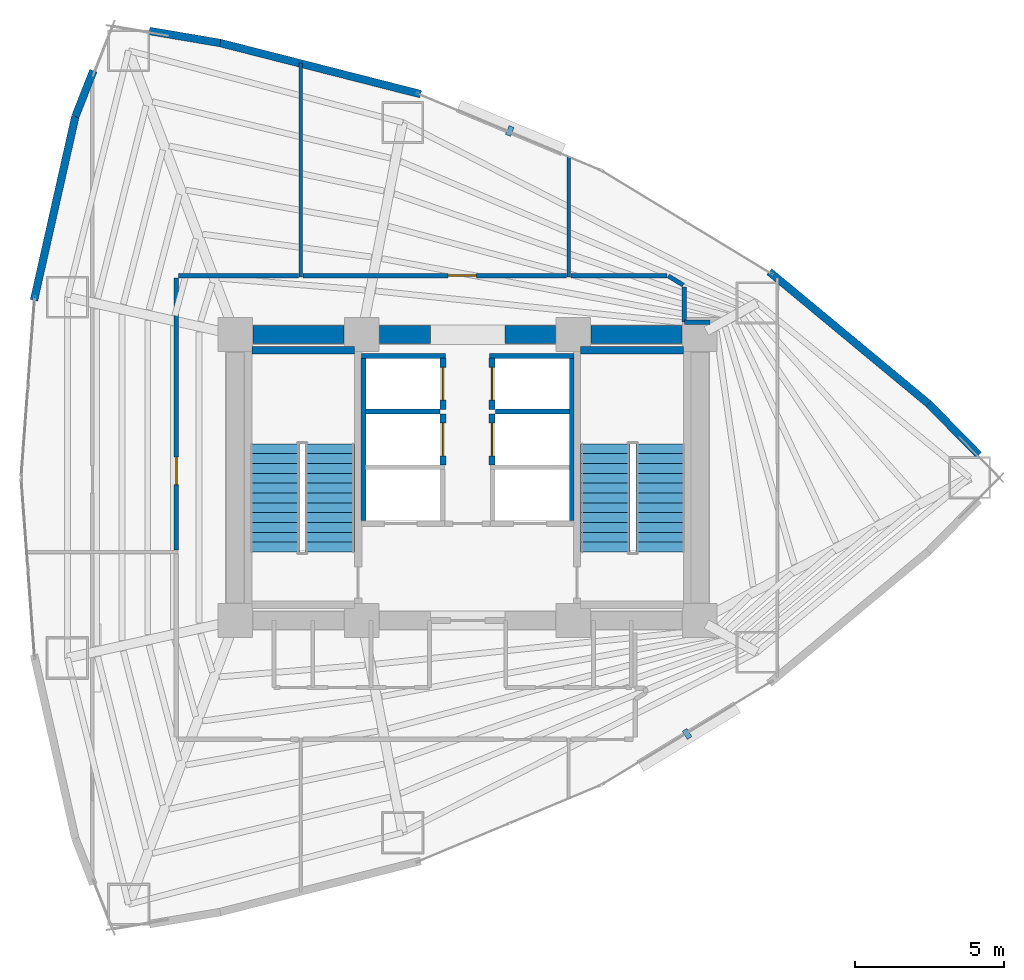
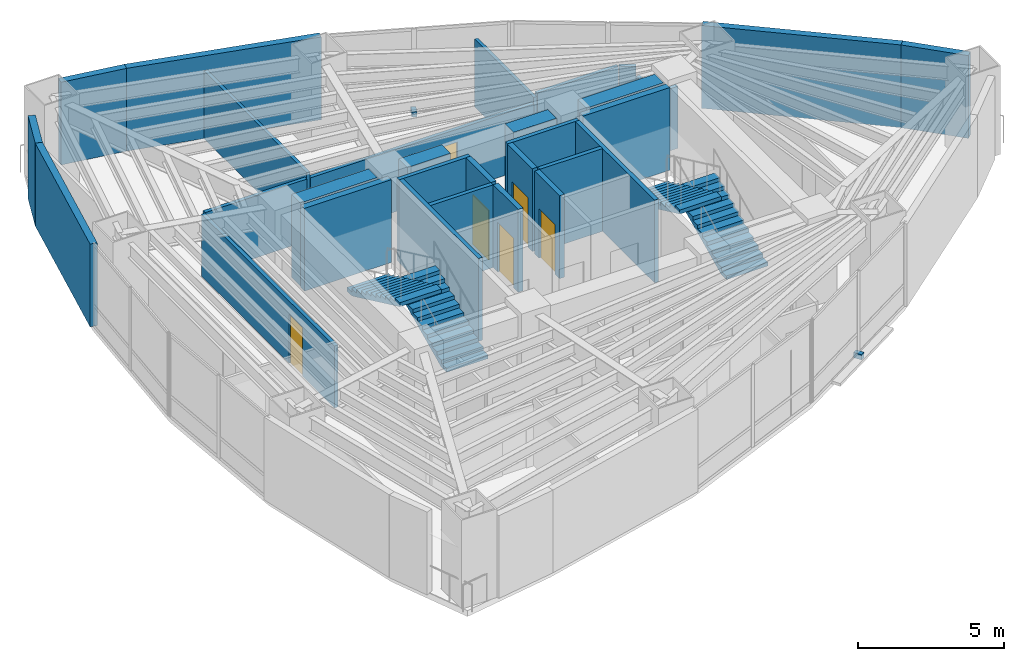
# One storey, part 15 of 17: 31 walls, 6 doors, 4 stair flights, 2 discrete accessories, 6 openings, 2 elements without a shape of their own.
"""IFC4 building model written with IfcOpenShell, lengths in metres."""

from ifc_helpers import new_model, si_unit, direction, frame, frame_2d, origin, origin_2d, place, context, subcontext, project, spatial, polyline, rectangle, outline, extrude, material, layer, layer_set, type_object, element, fill, aggregate, save


model = new_model("IFC4")

# Units and contexts
model_context = context("Model", 3, precision=1e-05, world=origin(), true_north=direction((0.0, 1.0)))
body_context = subcontext(model_context, "Body", "Model", "MODEL_VIEW")
ifc_project = project(units=[si_unit("LENGTHUNIT", "METRE"), si_unit("AREAUNIT", "SQUARE_METRE"), si_unit("VOLUMEUNIT", "CUBIC_METRE"), si_unit("PLANEANGLEUNIT", "RADIAN"), si_unit("MASSUNIT", "GRAM", prefix="KILO")], contexts=[model_context])

# Site, building, storey
site_placement = place(None, origin())
site = spatial("IfcSite", under=ifc_project, at=site_placement, CompositionType="ELEMENT")
building_placement = place(site_placement, origin())
building = spatial("IfcBuilding", under=site, at=building_placement, Name="Menara Vayukalpa", CompositionType="ELEMENT")
storey_placement = place(building_placement, frame((0.0, 0.0, 46.199951171875)))
storey = spatial("IfcBuildingStorey", under=building, at=storey_placement, Name="L10", CompositionType="ELEMENT", Elevation=46.199951171875)

# Walls
ifc_material_1 = material(Name="Concrete C70/85", Category="concrete")
ifc_layer_1 = layer(ifc_material_1, 0.60009765625)
ifc_layer_set_1 = layer_set([ifc_layer_1], Name="Concrete C70/85")
wall_type_1 = type_object("IfcWallType", Name="WAL-CW600", PredefinedType="SHEAR", material=ifc_layer_set_1)
wall_1_placement = place(storey_placement, frame((18.39501953125, 26.800048828125, 0.0), z_axis=(0.0, 0.0, 1.0), x_axis=(1.0, 0.0, 0.0)))
element("IfcWall", 1, at=wall_1_placement, inside=storey, type_object=wall_type_1, Name="L10 Buttressed Core Shear Wall CWN1", PredefinedType="SHEAR", context=body_context, shape_type="SweptSolid", body=[
    extrude(rectangle(XDim=3.06005859375, YDim=0.60009765625, at=frame_2d((1.530029296875, 0.0))), origin(), (0.0, 0.0, 1.0), 3.469970703125),
])
wall_2_placement = place(storey_placement, frame((22.64501953125, 26.800048828125, 0.0), z_axis=(0.0, 0.0, 1.0), x_axis=(1.0, 0.0, 0.0)))
element("IfcWall", 2, at=wall_2_placement, inside=storey, type_object=wall_type_1, Name="L10 Buttressed Core Shear Wall CWN2", PredefinedType="SHEAR", context=body_context, shape_type="SweptSolid", body=[
    extrude(rectangle(XDim=1.705078125, YDim=0.60009765625, at=frame_2d((0.8525390625, 0.0))), origin(), (0.0, 0.0, 1.0), 3.469970703125),
])
wall_3_placement = place(storey_placement, frame((26.85009765625, 26.800048828125, 0.0), z_axis=(0.0, 0.0, 1.0), x_axis=(1.0, 0.0, 0.0)))
element("IfcWall", 3, at=wall_3_placement, inside=storey, type_object=wall_type_1, Name="L10 Buttressed Core Shear Wall CWN3", PredefinedType="SHEAR", context=body_context, shape_type="SweptSolid", body=[
    extrude(rectangle(XDim=1.704833984375, YDim=0.60009765625, at=frame_2d((0.8525390625, 0.0))), origin(), (0.0, 0.0, 1.0), 3.469970703125),
])
wall_4_placement = place(storey_placement, frame((29.7451171875, 26.800048828125, 0.0), z_axis=(0.0, 0.0, 1.0), x_axis=(1.0, 0.0, 0.0)))
element("IfcWall", 4, at=wall_4_placement, inside=storey, type_object=wall_type_1, Name="L10 Buttressed Core Shear Wall CWN4", PredefinedType="SHEAR", context=body_context, shape_type="SweptSolid", body=[
    extrude(rectangle(XDim=3.059814453125, YDim=0.60009765625, at=frame_2d((1.52978515625, 0.0))), origin(), (0.0, 0.0, 1.0), 3.469970703125),
])
ifc_material_2 = material(Name="Insulated Precast Concrete C40/50", Category="concrete")
ifc_layer_2 = layer(ifc_material_2, 0.260009765625)
ifc_layer_set_2 = layer_set([ifc_layer_2], Name="Insulated Precast Concrete C40/50")
wall_type_2 = type_object("IfcWallType", Name="WAL-EXT260", PredefinedType="PARTITIONING", material=ifc_layer_set_2)
wall_5_placement = place(storey_placement, frame((41.08056640625, 24.479248046875, 0.0), z_axis=(0.0, 0.0, 1.0), x_axis=(0.70059851419, -0.713555689427, 0.0)))
element("IfcWall", 5, at=wall_5_placement, inside=storey, type_object=wall_type_2, Name="L10 Perimeter Terracotta Pier Wall 02", PredefinedType="PARTITIONING", context=body_context, shape_type="SweptSolid", body=[
    extrude(rectangle(XDim=2.411865234375, YDim=0.260009765625, at=frame_2d((1.2060546875, 0.0))), origin(), (0.0, 0.0, 1.0), 3.469970703125),
])
for number, where, z_axis, x_axis, name in (
    (6, (35.732421875, 28.91357421875, 0.0), (0.0, 0.0, 1.0), (0.769754596928, -0.638339925517, 0.0), "L10 Perimeter Terracotta Pier Wall 03"),
    (7, (17.28173828125, 36.595703125, 0.0), (0.0, 0.0, 1.0), (0.968977974408, -0.247147092057, 0.0), "L10 Perimeter Terracotta Pier Wall 06"),
):
    element("IfcWall", number, at=place(storey_placement, frame(where, z_axis=z_axis, x_axis=x_axis)), inside=storey, type_object=wall_type_2, Name=name, PredefinedType="PARTITIONING", context=body_context, shape_type="SweptSolid", body=[
        extrude(rectangle(XDim=6.959228515625, YDim=0.260009765625, at=frame_2d((3.4794921875, 0.0))), origin(), (0.0, 0.0, 1.0), 3.469970703125),
    ])
wall_6_placement = place(storey_placement, frame((14.915283203125, 36.996826171875, 0.0), z_axis=(0.0, 0.0, 1.0), x_axis=(0.985905469923, -0.167303330437, 0.0)))
element("IfcWall", 8, at=wall_6_placement, inside=storey, type_object=wall_type_2, Name="L10 Perimeter Terracotta Pier Wall 07", PredefinedType="PARTITIONING", context=body_context, shape_type="SweptSolid", body=[
    extrude(rectangle(XDim=2.412109375, YDim=0.260009765625, at=frame_2d((1.2060546875, 0.0))), origin(), (0.0, 0.0, 1.0), 3.469970703125),
])
wall_7_placement = place(storey_placement, frame((12.427490234375, 34.119140625, 0.0), z_axis=(0.0, 0.0, 1.0), x_axis=(0.365666052462, 0.930746119023, 0.0)))
element("IfcWall", 9, at=wall_7_placement, inside=storey, type_object=wall_type_2, Name="L10 Perimeter Terracotta Pier Wall 08", PredefinedType="PARTITIONING", context=body_context, shape_type="SweptSolid", body=[
    extrude(rectangle(XDim=1.656494140625, YDim=0.260009765625, at=frame_2d((0.828125, 0.0))), origin(), (0.0, 0.0, 1.0), 3.469970703125),
])
wall_8_placement = place(storey_placement, frame((11.0400390625, 27.952392578125, 0.0), z_axis=(0.0, 0.0, 1.0), x_axis=(0.219502085231, 0.975612030768, 0.0)))
element("IfcWall", 10, at=wall_8_placement, inside=storey, type_object=wall_type_2, Name="L10 Perimeter Terracotta Pier Wall 09", PredefinedType="PARTITIONING", context=body_context, shape_type="SweptSolid", body=[
    extrude(rectangle(XDim=6.32080078125, YDim=0.260009765625, at=frame_2d((3.160400390625, 0.0))), origin(), (0.0, 0.0, 1.0), 3.469970703125),
])
ifc_material_3 = material(Name="Lightweight Concrete Blockwork C16/20", Category="masonry")
ifc_layer_3 = layer(ifc_material_3, 0.159912109375)
ifc_layer_set_3 = layer_set([ifc_layer_3], Name="Lightweight Concrete Blockwork C16/20")
wall_type_3 = type_object("IfcWallType", Name="WAL-FR150", PredefinedType="PARTITIONING", material=ifc_layer_set_3)
wall_9_placement = place(storey_placement, frame((22.10498046875, 20.56005859375, 0.0), z_axis=(0.0, 0.0, 1.0), x_axis=(0.0, 1.0, 0.0)))
element("IfcWall", 11, at=wall_9_placement, inside=storey, type_object=wall_type_3, Name="L10 Interior Partition IW-L10-SHW-WW", PredefinedType="PARTITIONING", context=body_context, shape_type="SweptSolid", body=[
    extrude(rectangle(XDim=5.449951171875, YDim=0.159912109375, at=frame_2d((2.72509765625, 0.0))), origin(), (0.0, 0.0, 1.0), 3.469970703125),
])
wall_10_placement = place(storey_placement, frame((22.179931640625, 24.215087890625, 0.0), z_axis=(0.0, 0.0, 1.0), x_axis=(1.0, 0.0, 0.0)))
element("IfcWall", 12, at=wall_10_placement, inside=storey, type_object=wall_type_3, Name="L10 Interior Partition IW-L10-SHM-W23", PredefinedType="PARTITIONING", context=body_context, shape_type="SweptSolid", body=[
    extrude(rectangle(XDim=2.489990234375, YDim=0.159912109375, at=frame_2d((1.2451171875, 0.0))), origin(), (0.0, 0.0, 1.0), 3.469970703125),
])
wall_11_placement = place(storey_placement, frame((22.030029296875, 26.0849609375, 0.0), z_axis=(0.0, 0.0, 1.0), x_axis=(1.0, 0.0, 0.0)))
element("IfcWall", 13, at=wall_11_placement, inside=storey, type_object=wall_type_3, Name="L10 Interior Partition IW-L10-SHM-W3N", PredefinedType="PARTITIONING", context=body_context, shape_type="SweptSolid", body=[
    extrude(rectangle(XDim=2.830078125, YDim=0.159912109375, at=frame_2d((1.4150390625, 0.0))), origin(), (0.0, 0.0, 1.0), 3.469970703125),
])
wall_12_placement = place(storey_placement, frame((29.094970703125, 20.56005859375, 0.0), z_axis=(0.0, 0.0, 1.0), x_axis=(0.0, 1.0, 0.0)))
element("IfcWall", 14, at=wall_12_placement, inside=storey, type_object=wall_type_3, Name="L10 Interior Partition IW-L10-SHW-EE", PredefinedType="PARTITIONING", context=body_context, shape_type="SweptSolid", body=[
    extrude(rectangle(XDim=5.449951171875, YDim=0.159912109375, at=frame_2d((2.72509765625, 0.0))), origin(), (0.0, 0.0, 1.0), 3.469970703125),
])
wall_13_placement = place(storey_placement, frame((26.530029296875, 24.215087890625, 0.0), z_axis=(0.0, 0.0, 1.0), x_axis=(1.0, 0.0, 0.0)))
element("IfcWall", 15, at=wall_13_placement, inside=storey, type_object=wall_type_3, Name="L10 Interior Partition IW-L10-SHM-E32", PredefinedType="PARTITIONING", context=body_context, shape_type="SweptSolid", body=[
    extrude(rectangle(XDim=2.489990234375, YDim=0.159912109375, at=frame_2d((1.2451171875, 0.0))), origin(), (0.0, 0.0, 1.0), 3.469970703125),
])
wall_14_placement = place(storey_placement, frame((26.340087890625, 26.0849609375, 0.0), z_axis=(0.0, 0.0, 1.0), x_axis=(1.0, 0.0, 0.0)))
element("IfcWall", 16, at=wall_14_placement, inside=storey, type_object=wall_type_3, Name="L10 Interior Partition IW-L10-SHM-E2N", PredefinedType="PARTITIONING", context=body_context, shape_type="SweptSolid", body=[
    extrude(rectangle(XDim=2.829833984375, YDim=0.159912109375, at=frame_2d((1.4150390625, 0.0))), origin(), (0.0, 0.0, 1.0), 3.469970703125),
])

# Wall, opening, door
ifc_material_4 = material(Name="Lightweight Concrete Blockwork C16/20", Category="masonry")
ifc_layer_4 = layer(ifc_material_4, 0.199951171875)
ifc_layer_set_4 = layer_set([ifc_layer_4], Name="Lightweight Concrete Blockwork C16/20")
wall_type_4 = type_object("IfcWallType", Name="WAL-FR200", PredefinedType="PARTITIONING", material=ifc_layer_set_4)
wall_15_placement = place(storey_placement, frame((24.780029296875, 22.419921875, 0.0), z_axis=(0.0, 0.0, 1.0), x_axis=(0.0, 1.0, 0.0)))
wall_15 = element("IfcWall", 17, at=wall_15_placement, inside=storey, type_object=wall_type_4, Name="L10 Interior Partition IW-L10-SH-W2", PredefinedType="PARTITIONING", context=body_context, shape_type="SweptSolid", body=[
    extrude(rectangle(XDim=1.719970703125, YDim=0.199951171875, at=frame_2d((0.85986328125, 0.0))), origin(), (0.0, 0.0, 1.0), 3.469970703125),
])
opening_1_placement = place(wall_15_placement, frame((0.31005859375, 0.0, 0.0)))
opening_1 = element("IfcOpeningElement", 18, at=opening_1_placement, cuts=wall_15, Name="Opening LD1", PredefinedType="OPENING", context=body_context, shape_type="SweptSolid", body=[
    extrude(rectangle(XDim=1.10009765625, YDim=2.080078125, at=frame_2d((0.550048828125, 1.0400390625))), frame((0.0, 0.10986328125, 0.0), z_axis=(0.0, -1.0, 0.0), x_axis=(1.0, 0.0, 0.0)), (0.0, 0.0, 1.0), 0.219970703125),
])
ifc_material_5 = material(Name="Brushed Stainless Steel 316 Lift Door", Category="steel")
door_type_1 = type_object("IfcDoorType", Name="DR-LD110", OperationType="NOTDEFINED", PredefinedType="DOOR", material=ifc_material_5)
door_1_placement = place(opening_1_placement, origin())
door_1 = element("IfcDoor", 19, at=door_1_placement, inside=storey, type_object=door_type_1, Name="L10 Interior Door DR-L10-LD-W2", OperationType="DOUBLE_DOOR_SLIDING", OverallHeight=2.080078125, OverallWidth=1.10009765625, PredefinedType="DOOR", context=body_context, shape_type="SweptSolid", body=[
    extrude(rectangle(XDim=1.10009765625, YDim=2.080078125, at=frame_2d((0.550048828125, 1.0400390625))), frame((0.0, 0.02490234375, 0.0), z_axis=(0.0, -1.0, 0.0), x_axis=(1.0, 0.0, 0.0)), (0.0, 0.0, 1.0), 0.050048828125),
])
fill(opening_1, door_1)

wall_16_placement = place(storey_placement, frame((24.780029296875, 24.2900390625, 0.0), z_axis=(0.0, 0.0, 1.0), x_axis=(0.0, 1.0, 0.0)))
wall_16 = element("IfcWall", 20, at=wall_16_placement, inside=storey, type_object=wall_type_4, Name="L10 Interior Partition IW-L10-SH-W3", PredefinedType="PARTITIONING", context=body_context, shape_type="SweptSolid", body=[
    extrude(rectangle(XDim=1.719970703125, YDim=0.199951171875, at=frame_2d((0.85986328125, 0.0))), origin(), (0.0, 0.0, 1.0), 3.469970703125),
])
opening_2_placement = place(wall_16_placement, frame((0.31005859375, 0.0, 0.0)))
opening_2 = element("IfcOpeningElement", 21, at=opening_2_placement, cuts=wall_16, Name="Opening LD1", PredefinedType="OPENING", context=body_context, shape_type="SweptSolid", body=[
    extrude(rectangle(XDim=1.10009765625, YDim=2.080078125, at=frame_2d((0.550048828125, 1.0400390625))), frame((0.0, 0.10986328125, 0.0), z_axis=(0.0, -1.0, 0.0), x_axis=(1.0, 0.0, 0.0)), (0.0, 0.0, 1.0), 0.219970703125),
])
door_2_placement = place(opening_2_placement, origin())
door_2 = element("IfcDoor", 22, at=door_2_placement, inside=storey, type_object=door_type_1, Name="L10 Interior Door DR-L10-LD-W3", OperationType="DOUBLE_DOOR_SLIDING", OverallHeight=2.080078125, OverallWidth=1.10009765625, PredefinedType="DOOR", context=body_context, shape_type="SweptSolid", body=[
    extrude(rectangle(XDim=1.10009765625, YDim=2.080078125, at=frame_2d((0.550048828125, 1.0400390625))), frame((0.0, 0.02490234375, 0.0), z_axis=(0.0, -1.0, 0.0), x_axis=(1.0, 0.0, 0.0)), (0.0, 0.0, 1.0), 0.050048828125),
])
fill(opening_2, door_2)

wall_17_placement = place(storey_placement, frame((26.419921875, 22.419921875, 0.0), z_axis=(0.0, 0.0, 1.0), x_axis=(0.0, 1.0, 0.0)))
wall_17 = element("IfcWall", 23, at=wall_17_placement, inside=storey, type_object=wall_type_4, Name="L10 Interior Partition IW-L10-SH-E3", PredefinedType="PARTITIONING", context=body_context, shape_type="SweptSolid", body=[
    extrude(rectangle(XDim=1.719970703125, YDim=0.199951171875, at=frame_2d((0.85986328125, 0.0))), origin(), (0.0, 0.0, 1.0), 3.469970703125),
])
opening_3_placement = place(wall_17_placement, frame((0.31005859375, 0.0, 0.0)))
opening_3 = element("IfcOpeningElement", 24, at=opening_3_placement, cuts=wall_17, Name="Opening LD1", PredefinedType="OPENING", context=body_context, shape_type="SweptSolid", body=[
    extrude(rectangle(XDim=1.10009765625, YDim=2.080078125, at=frame_2d((0.550048828125, 1.0400390625))), frame((0.0, 0.10986328125, 0.0), z_axis=(0.0, -1.0, 0.0), x_axis=(1.0, 0.0, 0.0)), (0.0, 0.0, 1.0), 0.219970703125),
])
door_3_placement = place(opening_3_placement, origin())
door_3 = element("IfcDoor", 25, at=door_3_placement, inside=storey, type_object=door_type_1, Name="L10 Interior Door DR-L10-LD-E3", OperationType="DOUBLE_DOOR_SLIDING", OverallHeight=2.080078125, OverallWidth=1.10009765625, PredefinedType="DOOR", context=body_context, shape_type="SweptSolid", body=[
    extrude(rectangle(XDim=1.10009765625, YDim=2.080078125, at=frame_2d((0.550048828125, 1.0400390625))), frame((0.0, 0.02490234375, 0.0), z_axis=(0.0, -1.0, 0.0), x_axis=(1.0, 0.0, 0.0)), (0.0, 0.0, 1.0), 0.050048828125),
])
fill(opening_3, door_3)

wall_18_placement = place(storey_placement, frame((26.419921875, 24.2900390625, 0.0), z_axis=(0.0, 0.0, 1.0), x_axis=(0.0, 1.0, 0.0)))
wall_18 = element("IfcWall", 26, at=wall_18_placement, inside=storey, type_object=wall_type_4, Name="L10 Interior Partition IW-L10-SH-E2", PredefinedType="PARTITIONING", context=body_context, shape_type="SweptSolid", body=[
    extrude(rectangle(XDim=1.719970703125, YDim=0.199951171875, at=frame_2d((0.85986328125, 0.0))), origin(), (0.0, 0.0, 1.0), 3.469970703125),
])
opening_4_placement = place(wall_18_placement, frame((0.31005859375, 0.0, 0.0)))
opening_4 = element("IfcOpeningElement", 27, at=opening_4_placement, cuts=wall_18, Name="Opening LD1", PredefinedType="OPENING", context=body_context, shape_type="SweptSolid", body=[
    extrude(rectangle(XDim=1.10009765625, YDim=2.080078125, at=frame_2d((0.550048828125, 1.0400390625))), frame((0.0, 0.10986328125, 0.0), z_axis=(0.0, -1.0, 0.0), x_axis=(1.0, 0.0, 0.0)), (0.0, 0.0, 1.0), 0.219970703125),
])
door_4_placement = place(opening_4_placement, origin())
door_4 = element("IfcDoor", 28, at=door_4_placement, inside=storey, type_object=door_type_1, Name="L10 Interior Door DR-L10-LD-E2", OperationType="DOUBLE_DOOR_SLIDING", OverallHeight=2.080078125, OverallWidth=1.10009765625, PredefinedType="DOOR", context=body_context, shape_type="SweptSolid", body=[
    extrude(rectangle(XDim=1.10009765625, YDim=2.080078125, at=frame_2d((0.550048828125, 1.0400390625))), frame((0.0, 0.02490234375, 0.0), z_axis=(0.0, -1.0, 0.0), x_axis=(1.0, 0.0, 0.0)), (0.0, 0.0, 1.0), 0.050048828125),
])
fill(opening_4, door_4)

# Walls
ifc_material_6 = material(Name="Gypsum Drywall Steel Stud Assembly", Category="steel")
ifc_layer_5 = layer(ifc_material_6, 0.125)
ifc_layer_set_5 = layer_set([ifc_layer_5], Name="Gypsum Drywall Steel Stud Assembly")
wall_type_5 = type_object("IfcWallType", Name="WAL-PT125", PredefinedType="PARTITIONING", material=ifc_layer_set_5)
wall_19_placement = place(storey_placement, frame((20.0, 28.72998046875, 0.0), z_axis=(0.0, 0.0, 1.0), x_axis=(0.0, 1.0, 0.0)))
element("IfcWall", 29, at=wall_19_placement, inside=storey, type_object=wall_type_5, Name="L10 Interior Partition IW-L10-RDIV03", PredefinedType="PARTITIONING", context=body_context, shape_type="SweptSolid", body=[
    extrude(rectangle(XDim=7.1826171875, YDim=0.125, at=frame_2d((3.59130859375, 0.0))), origin(), (0.0, 0.0, 1.0), 2.85009765625),
])
wall_20_placement = place(storey_placement, frame((29.0, 28.72998046875, 0.0), z_axis=(0.0, 0.0, 1.0), x_axis=(0.0, 1.0, 0.0)))
element("IfcWall", 30, at=wall_20_placement, inside=storey, type_object=wall_type_5, Name="L10 Interior Partition IW-L10-RDIV05", PredefinedType="PARTITIONING", context=body_context, shape_type="SweptSolid", body=[
    extrude(rectangle(XDim=4.058349609375, YDim=0.125, at=frame_2d((2.029296875, 0.0))), origin(), (0.0, 0.0, 1.0), 2.85009765625),
])
ifc_material_7 = material(Name="Gypsum Drywall Acoustic Stud Assembly", Category="masonry")
ifc_layer_6 = layer(ifc_material_7, 0.14501953125)
ifc_layer_set_6 = layer_set([ifc_layer_6], Name="Gypsum Drywall Acoustic Stud Assembly")
wall_type_6 = type_object("IfcWallType", Name="WAL-PT150", PredefinedType="PARTITIONING", material=ifc_layer_set_6)
wall_21_placement = place(storey_placement, frame((33.739990234375, 27.219970703125, 0.0), z_axis=(0.0, 0.0, 1.0), x_axis=(-1.0, 0.0, 0.0)))
element("IfcWall", 31, at=wall_21_placement, inside=storey, type_object=wall_type_6, Name="L10 Interior Partition IW-L10-CRM06-6", PredefinedType="PARTITIONING", context=body_context, shape_type="SweptSolid", body=[
    extrude(rectangle(XDim=0.860107421875, YDim=0.14501953125, at=frame_2d((0.43017578125, 0.0))), origin(), (0.0, 0.0, 1.0), 2.60009765625),
])
wall_22_placement = place(storey_placement, frame((32.8798828125, 27.219970703125, 0.0), z_axis=(0.0, 0.0, 1.0), x_axis=(0.0, 1.0, 0.0)))
element("IfcWall", 32, at=wall_22_placement, inside=storey, type_object=wall_type_6, Name="L10 Interior Partition IW-L10-CRM06-7", PredefinedType="PARTITIONING", context=body_context, shape_type="SweptSolid", body=[
    extrude(rectangle(XDim=1.1748046875, YDim=0.14501953125, at=frame_2d((0.58740234375, 0.0))), origin(), (0.0, 0.0, 1.0), 2.60009765625),
])
wall_23_placement = place(storey_placement, frame((32.841552734375, 28.463134765625, 0.0), z_axis=(0.0, 0.0, 1.0), x_axis=(-0.854807247113, 0.518945633264, 0.0)))
element("IfcWall", 33, at=wall_23_placement, inside=storey, type_object=wall_type_6, Name="L10 Interior Partition IW-L10-CRM06-8", PredefinedType="PARTITIONING", context=body_context, shape_type="SweptSolid", body=[
    extrude(rectangle(XDim=0.588134765625, YDim=0.14501953125, at=frame_2d((0.2939453125, 0.0))), origin(), (0.0, 0.0, 1.0), 3.0),
])
wall_24_placement = place(storey_placement, frame((32.29736328125, 28.780029296875, 0.0), z_axis=(0.0, 0.0, 1.0), x_axis=(-1.0, 0.0, 0.0)))
element("IfcWall", 34, at=wall_24_placement, inside=storey, type_object=wall_type_6, Name="L10 Interior Partition IW-L10-CRM06-9", PredefinedType="PARTITIONING", context=body_context, shape_type="SweptSolid", body=[
    extrude(rectangle(XDim=3.227294921875, YDim=0.14501953125, at=frame_2d((1.61376953125, 0.0))), origin(), (0.0, 0.0, 1.0), 3.0),
])

# Wall, opening, door
wall_25_placement = place(storey_placement, frame((28.929931640625, 28.780029296875, 0.0), z_axis=(0.0, 0.0, 1.0), x_axis=(-1.0, 0.0, 0.0)))
wall_25 = element("IfcWall", 35, at=wall_25_placement, inside=storey, type_object=wall_type_6, Name="L10 Interior Partition IW-L10-CRM07-1", PredefinedType="PARTITIONING", context=body_context, shape_type="SweptSolid", body=[
    extrude(rectangle(XDim=8.85986328125, YDim=0.14501953125, at=frame_2d((4.429931640625, 0.0))), origin(), (0.0, 0.0, 1.0), 2.60009765625),
])
opening_5_placement = place(wall_25_placement, frame((3.0361328125, 0.0, 0.0)))
opening_5 = element("IfcOpeningElement", 36, at=opening_5_placement, cuts=wall_25, Name="Opening ID5", PredefinedType="OPENING", context=body_context, shape_type="SweptSolid", body=[
    extrude(rectangle(XDim=0.949951171875, YDim=2.06005859375, at=frame_2d((0.47509765625, 1.030029296875))), frame((0.0, 0.08251953125, 0.0), z_axis=(0.0, -1.0, 0.0), x_axis=(1.0, 0.0, 0.0)), (0.0, 0.0, 1.0), 0.1650390625),
])
ifc_material_8 = material(Name="Acoustic Hardwood Veneer Timber Door", Category="wood")
door_type_2 = type_object("IfcDoorType", Name="DR-INT95", OperationType="NOTDEFINED", PredefinedType="DOOR", material=ifc_material_8)
door_5_placement = place(opening_5_placement, origin())
door_5 = element("IfcDoor", 37, at=door_5_placement, inside=storey, type_object=door_type_2, Name="L10 Interior Door DR-L10-RM07", OperationType="SINGLE_SWING_LEFT", OverallHeight=2.06005859375, OverallWidth=0.949951171875, PredefinedType="DOOR", context=body_context, shape_type="SweptSolid", body=[
    extrude(rectangle(XDim=0.949951171875, YDim=2.06005859375, at=frame_2d((0.47509765625, 1.030029296875))), frame((0.0, 0.02490234375, 0.0), z_axis=(0.0, -1.0, 0.0), x_axis=(1.0, 0.0, 0.0)), (0.0, 0.0, 1.0), 0.050048828125),
])
fill(opening_5, door_5)

# Wall
wall_26_placement = place(storey_placement, frame((19.929931640625, 28.780029296875, 0.0), z_axis=(0.0, 0.0, 1.0), x_axis=(-1.0, 0.0, 0.0)))
element("IfcWall", 38, at=wall_26_placement, inside=storey, type_object=wall_type_6, Name="L10 Interior Partition IW-L10-CRM08-1", PredefinedType="PARTITIONING", context=body_context, shape_type="SweptSolid", body=[
    extrude(rectangle(XDim=4.030029296875, YDim=0.14501953125, at=frame_2d((2.01513671875, 0.0))), origin(), (0.0, 0.0, 1.0), 2.60009765625),
])

# Wall, opening, door
wall_27_placement = place(storey_placement, frame((15.820068359375, 28.699951171875, 0.0), z_axis=(0.0, 0.0, 1.0), x_axis=(0.0, -1.0, 0.0)))
wall_27 = element("IfcWall", 39, at=wall_27_placement, inside=storey, type_object=wall_type_6, Name="L10 Interior Partition IW-L10-CRM08-2", PredefinedType="PARTITIONING", context=body_context, shape_type="SweptSolid", body=[
    extrude(rectangle(XDim=9.1298828125, YDim=0.14501953125, at=frame_2d((4.56494140625, 0.0))), origin(), (0.0, 0.0, 1.0), 2.60009765625),
])
opening_6_placement = place(wall_27_placement, frame((6.017578125, 0.0, 0.0)))
opening_6 = element("IfcOpeningElement", 40, at=opening_6_placement, cuts=wall_27, Name="Opening ID6", PredefinedType="OPENING", context=body_context, shape_type="SweptSolid", body=[
    extrude(rectangle(XDim=0.919921875, YDim=2.050048828125, at=frame_2d((0.4599609375, 1.02490234375))), frame((0.0, 0.08251953125, 0.0), z_axis=(0.0, -1.0, 0.0), x_axis=(1.0, 0.0, 0.0)), (0.0, 0.0, 1.0), 0.1650390625),
])
ifc_material_9 = material(Name="Acoustic Hardwood Veneer Timber Door", Category="wood")
door_type_3 = type_object("IfcDoorType", Name="DR-INT92", OperationType="NOTDEFINED", PredefinedType="DOOR", material=ifc_material_9)
door_6_placement = place(opening_6_placement, origin())
door_6 = element("IfcDoor", 41, at=door_6_placement, inside=storey, type_object=door_type_3, Name="L10 Interior Door DR-L10-RM08", OperationType="SINGLE_SWING_RIGHT", OverallHeight=2.050048828125, OverallWidth=0.919921875, PredefinedType="DOOR", context=body_context, shape_type="SweptSolid", body=[
    extrude(rectangle(XDim=0.919921875, YDim=2.050048828125, at=frame_2d((0.4599609375, 1.02490234375))), frame((0.0, 0.02490234375, 0.0), z_axis=(0.0, -1.0, 0.0), x_axis=(1.0, 0.0, 0.0)), (0.0, 0.0, 1.0), 0.050048828125),
])
fill(opening_6, door_6)

# Walls
ifc_material_10 = material(Name="Concrete C50/60", Category="concrete")
ifc_layer_7 = layer(ifc_material_10, 0.25)
ifc_layer_set_7 = layer_set([ifc_layer_7], Name="Concrete C50/60")
wall_type_7 = type_object("IfcWallType", Name="WAL-SW250", PredefinedType="SHEAR", material=ifc_layer_set_7)
for number, where, z_axis, x_axis, name in (
    (42, (18.35400390625, 26.27490234375, 0.0), (0.0, 0.0, 1.0), (1.0, 0.0, 0.0), "L10 ST1 Structural Stair Shaft Wall N"),
    (43, (29.39990234375, 26.27490234375, 0.0), (0.0, 0.0, 1.0), (1.0, 0.0, 0.0), "L10 ST2 Structural Stair Shaft Wall N"),
):
    element("IfcWall", number, at=place(storey_placement, frame(where, z_axis=z_axis, x_axis=x_axis)), inside=storey, type_object=wall_type_7, Name=name, PredefinedType="SHEAR", context=body_context, shape_type="SweptSolid", body=[
        extrude(rectangle(XDim=3.446044921875, YDim=0.25, at=frame_2d((1.72314453125, 0.0))), origin(), (0.0, 0.0, 1.0), 3.469970703125),
    ])

# Stair, stair flights
ifc_material_11 = material(Name="Precast Concrete C40/50", Category="concrete")
stair_type = type_object("IfcStairType", Name="STR-T04", PredefinedType="DOUBLE_RETURN_STAIR", material=ifc_material_11)
stair_1_placement = place(storey_placement, origin())
stair_1 = element("IfcStair", 44, at=stair_1_placement, inside=storey, type_object=stair_type, Name="L10 Core Exit Stair ST-1", PredefinedType="DOUBLE_RETURN_STAIR")
ifc_material_12 = material(Name="Precast Concrete C40/50", Category="concrete")
stair_flight_type = type_object("IfcStairFlightType", Name="STF-T04", PredefinedType="STRAIGHT", material=ifc_material_12)
stair_flight_1_placement = place(storey_placement, frame((20.97509765625, 19.5, 0.0), z_axis=(0.0, 0.0, 1.0), x_axis=(0.0, 1.0, 0.0)))
stair_flight_1 = element("IfcStairFlight", 45, at=stair_flight_1_placement, type_object=stair_flight_type, Name="ST-1 flight 1", NumberOfRisers=12, NumberOfTreads=11, PredefinedType="STRAIGHT", RiserHeight=0.155, TreadLength=0.33, context=body_context, shape_type="SweptSolid", body=[
    extrude(outline(polyline([(0.0, 0.0), (0.0, 0.155029296875), (0.330078125, 0.155029296875), (0.330078125, 0.31005859375), (0.659912109375, 0.31005859375), (0.659912109375, 0.465087890625), (0.989990234375, 0.465087890625), (0.989990234375, 0.6201171875), (1.320068359375, 0.6201171875), (1.320068359375, 0.77490234375), (1.64990234375, 0.77490234375), (1.64990234375, 0.929931640625), (1.97998046875, 0.929931640625), (1.97998046875, 1.0849609375), (2.31005859375, 1.0849609375), (2.31005859375, 1.239990234375), (2.639892578125, 1.239990234375), (2.639892578125, 1.39501953125), (2.969970703125, 1.39501953125), (2.969970703125, 1.550048828125), (3.300048828125, 1.550048828125), (3.300048828125, 1.705078125), (3.6298828125, 1.705078125), (3.6298828125, 1.860107421875), (3.6298828125, 1.539306640625), (0.3525390625, 0.0), (0.0, 0.0)])), frame((0.0, 0.824951171875, 0.0), z_axis=(0.0, -1.0, 0.0), x_axis=(1.0, 0.0, 0.0)), (0.0, 0.0, 1.0), 1.64990234375),
])
stair_flight_2_placement = place(storey_placement, frame((19.125, 23.1298828125, 1.860107421875), z_axis=(0.0, 0.0, 1.0), x_axis=(0.0, -1.0, 0.0)))
stair_flight_2 = element("IfcStairFlight", 46, at=stair_flight_2_placement, type_object=stair_flight_type, Name="ST-1 flight 2", NumberOfRisers=12, NumberOfTreads=11, PredefinedType="STRAIGHT", RiserHeight=0.155, TreadLength=0.33, context=body_context, shape_type="SweptSolid", body=[
    extrude(outline(polyline([(0.0, 0.0), (0.0, 0.155029296875), (0.330078125, 0.155029296875), (0.330078125, 0.31005859375), (0.659912109375, 0.31005859375), (0.659912109375, 0.465087890625), (0.989990234375, 0.465087890625), (0.989990234375, 0.6201171875), (1.320068359375, 0.6201171875), (1.320068359375, 0.77490234375), (1.64990234375, 0.77490234375), (1.64990234375, 0.929931640625), (1.97998046875, 0.929931640625), (1.97998046875, 1.0849609375), (2.31005859375, 1.0849609375), (2.31005859375, 1.239990234375), (2.639892578125, 1.239990234375), (2.639892578125, 1.39501953125), (2.969970703125, 1.39501953125), (2.969970703125, 1.550048828125), (3.300048828125, 1.550048828125), (3.300048828125, 1.705078125), (3.6298828125, 1.705078125), (3.6298828125, 1.860107421875), (3.6298828125, 1.539306640625), (0.3525390625, 0.0), (0.0, 0.0)])), frame((0.0, 0.824951171875, 0.0), z_axis=(0.0, -1.0, 0.0), x_axis=(1.0, 0.0, 0.0)), (0.0, 0.0, 1.0), 1.64990234375),
])
aggregate(stair_1, [stair_flight_1, stair_flight_2])

stair_2_placement = place(storey_placement, origin())
stair_2 = element("IfcStair", 47, at=stair_2_placement, inside=storey, type_object=stair_type, Name="L10 Core Exit Stair ST-2", PredefinedType="DOUBLE_RETURN_STAIR")
stair_flight_3_placement = place(storey_placement, frame((32.074951171875, 19.5, 0.0), z_axis=(0.0, 0.0, 1.0), x_axis=(0.0, 1.0, 0.0)))
stair_flight_3 = element("IfcStairFlight", 48, at=stair_flight_3_placement, type_object=stair_flight_type, Name="ST-2 flight 1", NumberOfRisers=12, NumberOfTreads=11, PredefinedType="STRAIGHT", RiserHeight=0.155, TreadLength=0.33, context=body_context, shape_type="SweptSolid", body=[
    extrude(outline(polyline([(0.0, 0.0), (0.0, 0.155029296875), (0.330078125, 0.155029296875), (0.330078125, 0.31005859375), (0.659912109375, 0.31005859375), (0.659912109375, 0.465087890625), (0.989990234375, 0.465087890625), (0.989990234375, 0.6201171875), (1.320068359375, 0.6201171875), (1.320068359375, 0.77490234375), (1.64990234375, 0.77490234375), (1.64990234375, 0.929931640625), (1.97998046875, 0.929931640625), (1.97998046875, 1.0849609375), (2.31005859375, 1.0849609375), (2.31005859375, 1.239990234375), (2.639892578125, 1.239990234375), (2.639892578125, 1.39501953125), (2.969970703125, 1.39501953125), (2.969970703125, 1.550048828125), (3.300048828125, 1.550048828125), (3.300048828125, 1.705078125), (3.6298828125, 1.705078125), (3.6298828125, 1.860107421875), (3.6298828125, 1.539306640625), (0.3525390625, 0.0), (0.0, 0.0)])), frame((0.0, 0.824951171875, 0.0), z_axis=(0.0, -1.0, 0.0), x_axis=(1.0, 0.0, 0.0)), (0.0, 0.0, 1.0), 1.64990234375),
])
stair_flight_4_placement = place(storey_placement, frame((30.22509765625, 23.1298828125, 1.860107421875), z_axis=(0.0, 0.0, 1.0), x_axis=(0.0, -1.0, 0.0)))
stair_flight_4 = element("IfcStairFlight", 49, at=stair_flight_4_placement, type_object=stair_flight_type, Name="ST-2 flight 2", NumberOfRisers=12, NumberOfTreads=11, PredefinedType="STRAIGHT", RiserHeight=0.155, TreadLength=0.33, context=body_context, shape_type="SweptSolid", body=[
    extrude(outline(polyline([(0.0, 0.0), (0.0, 0.155029296875), (0.330078125, 0.155029296875), (0.330078125, 0.31005859375), (0.659912109375, 0.31005859375), (0.659912109375, 0.465087890625), (0.989990234375, 0.465087890625), (0.989990234375, 0.6201171875), (1.320068359375, 0.6201171875), (1.320068359375, 0.77490234375), (1.64990234375, 0.77490234375), (1.64990234375, 0.929931640625), (1.97998046875, 0.929931640625), (1.97998046875, 1.0849609375), (2.31005859375, 1.0849609375), (2.31005859375, 1.239990234375), (2.639892578125, 1.239990234375), (2.639892578125, 1.39501953125), (2.969970703125, 1.39501953125), (2.969970703125, 1.550048828125), (3.300048828125, 1.550048828125), (3.300048828125, 1.705078125), (3.6298828125, 1.705078125), (3.6298828125, 1.860107421875), (3.6298828125, 1.539306640625), (0.3525390625, 0.0), (0.0, 0.0)])), frame((0.0, 0.824951171875, 0.0), z_axis=(0.0, -1.0, 0.0), x_axis=(1.0, 0.0, 0.0)), (0.0, 0.0, 1.0), 1.64990234375),
])
aggregate(stair_2, [stair_flight_3, stair_flight_4])

# Discrete accessories
ifc_material_13 = material(Name="Stainless Steel 316 Sunshade Bracket", Category="steel")
discrete_accessory_type = type_object("IfcDiscreteAccessoryType", Name="ACC-BRK1", PredefinedType="BRACKET", material=ifc_material_13)
for number, where, z_axis, x_axis, name in (
    (50, (27.018310546875, 33.638916015625, -0.16015625), (0.0, 0.0, 1.0), (-0.922544824647, 0.385889940938, 0.0), "L10 Terracotta Sunshade Bracket 05"),
    (51, (32.9716796875, 13.39306640625, -0.16015625), (0.0, 0.0, 1.0), (0.85466730962, 0.519176068272, 0.0), "L10 Terracotta Sunshade Bracket 17"),
):
    element("IfcDiscreteAccessory", number, at=place(storey_placement, frame(where, z_axis=z_axis, x_axis=x_axis)), inside=storey, type_object=discrete_accessory_type, Name=name, PredefinedType="BRACKET", context=body_context, shape_type="SweptSolid", body=[
        extrude(rectangle(XDim=0.179931640625, YDim=0.320068359375, at=origin_2d()), origin(), (0.0, 0.0, 1.0), 0.219970703125),
    ])

save(model, "model.ifc")
